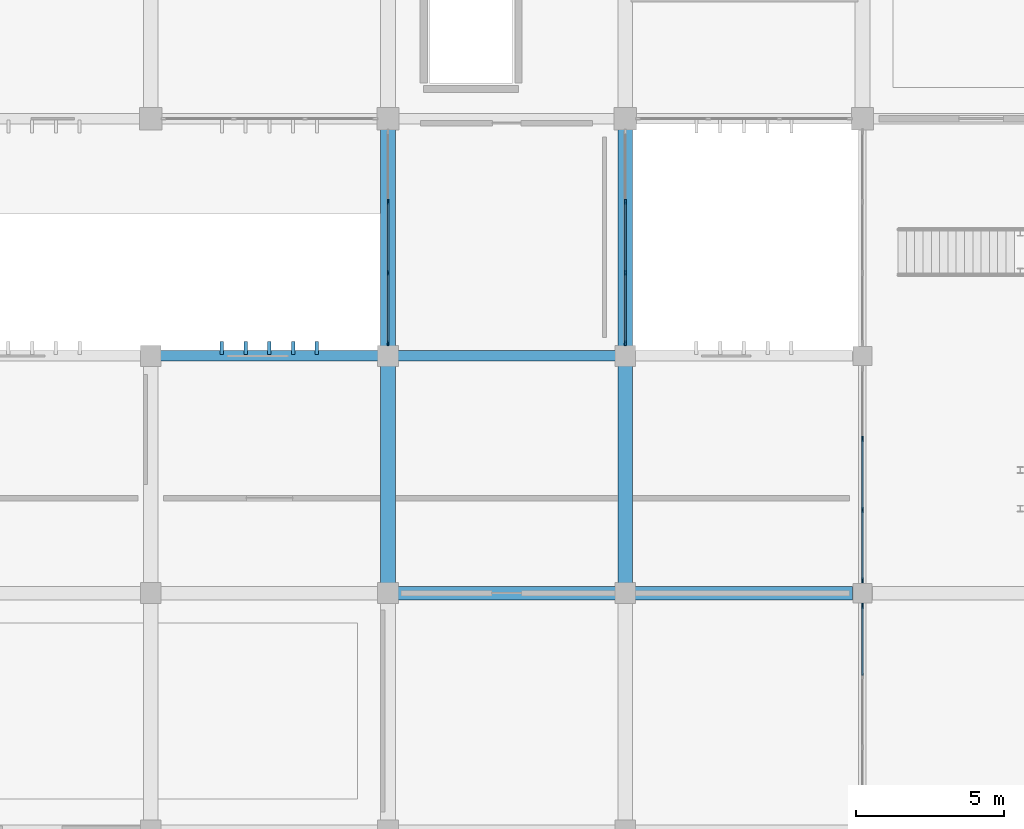
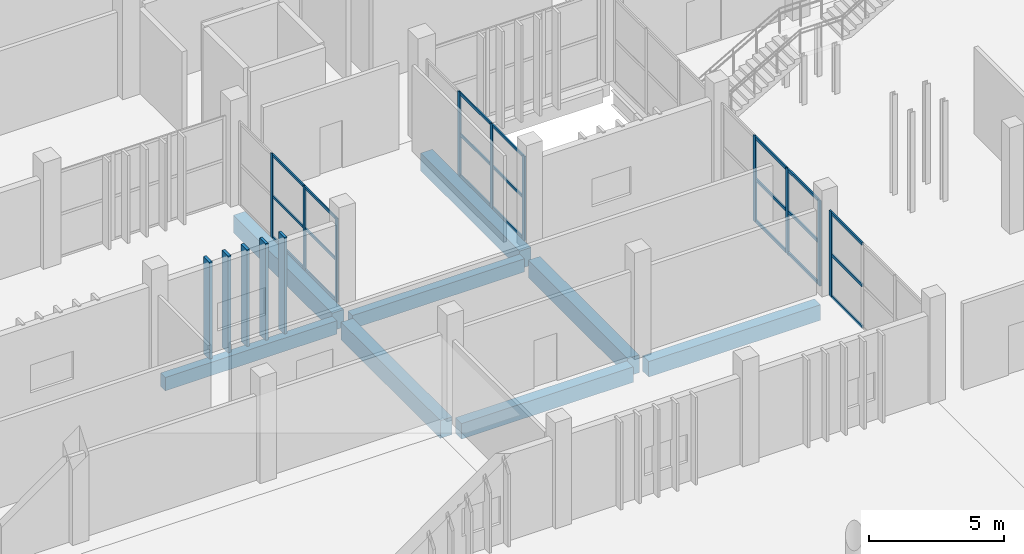
# One storey, part 58 of 117: 36 members, 8 beams, 4 elements without a shape of their own.
"""IFC4 building model written with IfcOpenShell, lengths in metres."""

from ifc_helpers import new_model, si_unit, direction, frame, origin, origin_2d, place, context, subcontext, project, spatial, rectangle, extrude, material, layer, layer_set, material_profile, profile_set, type_object, element, aggregate, save


model = new_model("IFC4")

# Units and contexts
model_context = context("Model", 3, precision=1e-05, world=origin(), true_north=direction((0.0, 1.0)))
body_context = subcontext(model_context, "Body", "Model", "MODEL_VIEW")
ifc_project = project(units=[si_unit("LENGTHUNIT", "METRE"), si_unit("AREAUNIT", "SQUARE_METRE"), si_unit("VOLUMEUNIT", "CUBIC_METRE"), si_unit("PLANEANGLEUNIT", "RADIAN"), si_unit("MASSUNIT", "GRAM", prefix="KILO")], contexts=[model_context])

# Site, building, storey
site_placement = place(None, origin())
site = spatial("IfcSite", under=ifc_project, at=site_placement, CompositionType="ELEMENT")
building_placement = place(site_placement, origin())
building = spatial("IfcBuilding", under=site, at=building_placement, Name="Jelvoka-Kovrelna Polytechnic", CompositionType="ELEMENT")
storey_placement = place(building_placement, origin())
storey = spatial("IfcBuildingStorey", under=building, at=storey_placement, Name="L01", CompositionType="ELEMENT", Elevation=0.0)

# Beams
ifc_material_1 = material(Name="Concrete C40/50", Category="concrete")
ifc_material_profile_1 = material_profile(ifc_material_1, rectangle(XDim=0.449951171875, YDim=0.699951171875, at=origin_2d()), Name="RC 450x700")
ifc_profile_set_1 = profile_set([ifc_material_profile_1], Name="Concrete C40/50")
beam_type_1 = type_object("IfcBeamType", Name="Beam_RC_450x700", PredefinedType="BEAM", material=ifc_profile_set_1)
for number, where, z_axis, x_axis, name in (
    (1, (144.330078125, 16.0, -0.7548828125), (1.0, 0.0, 0.0), (0.0, 1.0, 0.0), "L01 beam 0348"),
    (2, (152.330078125, 16.0, -0.7548828125), (1.0, 0.0, 0.0), (0.0, 1.0, 0.0), "L01 beam 0349"),
):
    element("IfcBeam", number, at=place(storey_placement, frame(where, z_axis=z_axis, x_axis=x_axis)), inside=storey, type_object=beam_type_1, Name=name, PredefinedType="BEAM", context=body_context, shape_type="SweptSolid", body=[
        extrude(rectangle(XDim=0.449951171875, YDim=0.699951171875, at=origin_2d()), origin(), (0.0, 0.0, 1.0), 7.33984375),
    ])
ifc_material_2 = material(Name="Concrete C40/50", Category="concrete")
ifc_material_profile_2 = material_profile(ifc_material_2, rectangle(XDim=0.5, YDim=0.800048828125, at=origin_2d()), Name="RC 500x800")
ifc_profile_set_2 = profile_set([ifc_material_profile_2], Name="Concrete C40/50")
beam_type_2 = type_object("IfcBeamType", Name="Beam_RC_500x800", PredefinedType="BEAM", material=ifc_profile_set_2)
for number, where, z_axis, x_axis, name in (
    (3, (144.0, 16.330078125, -0.804931640625), (0.0, 1.0, 0.0), (-1.0, 0.0, 0.0), "L01 beam 0363"),
    (4, (152.0, 16.330078125, -0.804931640625), (0.0, 1.0, 0.0), (-1.0, 0.0, 0.0), "L01 beam 0365"),
):
    element("IfcBeam", number, at=place(storey_placement, frame(where, z_axis=z_axis, x_axis=x_axis)), inside=storey, type_object=beam_type_2, Name=name, PredefinedType="BEAM", context=body_context, shape_type="SweptSolid", body=[
        extrude(rectangle(XDim=0.5, YDim=0.800048828125, at=origin_2d()), origin(), (0.0, 0.0, 1.0), 7.33984375),
    ])
for number, where, z_axis, x_axis, name in (
    (5, (144.0, 24.330078125, -0.804931640625), (0.0, 1.0, 0.0), (-1.0, 0.0, 0.0), "L01 beam 0540"),
    (6, (152.0, 24.330078125, -0.804931640625), (0.0, 1.0, 0.0), (-1.0, 0.0, 0.0), "L01 beam 0541"),
):
    element("IfcBeam", number, at=place(storey_placement, frame(where, z_axis=z_axis, x_axis=x_axis)), inside=storey, type_object=beam_type_2, Name=name, PredefinedType="BEAM", context=body_context, shape_type="SweptSolid", body=[
        extrude(rectangle(XDim=0.5, YDim=0.800048828125, at=origin_2d()), origin(), (0.0, 0.0, 1.0), 7.31494140625),
    ])

# Members
ifc_material_3 = material(Name="Precast concrete C40/50", Category="concrete")
ifc_material_profile_3 = material_profile(ifc_material_3, rectangle(XDim=0.1201171875, YDim=0.449951171875, at=origin_2d()), Name="PC 120x450")
ifc_profile_set_3 = profile_set([ifc_material_profile_3], Name="Precast concrete C40/50")
member_type_1 = type_object("IfcMemberType", Name="Louvre_Fin_120x450", PredefinedType="USERDEFINED", material=ifc_profile_set_3)
for number, where, z_axis, x_axis, name in (
    (7, (138.39990234375, 24.264892578125, -0.419921875), (0.0, 0.0, 1.0), (1.0, 0.0, 0.0), "L01 B1 north vertical solar louvre fin 0086"),
    (8, (139.199951171875, 24.264892578125, -0.419921875), (0.0, 0.0, 1.0), (1.0, 0.0, 0.0), "L01 B1 north vertical solar louvre fin 0087"),
    (9, (140.0, 24.264892578125, -0.419921875), (0.0, 0.0, 1.0), (1.0, 0.0, 0.0), "L01 B1 north vertical solar louvre fin 0088"),
    (10, (140.800048828125, 24.264892578125, -0.419921875), (0.0, 0.0, 1.0), (1.0, 0.0, 0.0), "L01 B1 north vertical solar louvre fin 0089"),
    (11, (141.60009765625, 24.264892578125, -0.419921875), (0.0, 0.0, 1.0), (1.0, 0.0, 0.0), "L01 B1 north vertical solar louvre fin 0090"),
):
    element("IfcMember", number, at=place(storey_placement, frame(where, z_axis=z_axis, x_axis=x_axis)), inside=storey, type_object=member_type_1, Name=name, ObjectType="SUNSHADE", PredefinedType="USERDEFINED", context=body_context, shape_type="SweptSolid", body=[
        extrude(rectangle(XDim=0.1201171875, YDim=0.449951171875, at=origin_2d()), origin(), (0.0, 0.0, 1.0), 4.3798828125),
    ])

# Curtain wall, members
ifc_material_4 = material(Name="Anodised aluminium 6063-T6", Category="aluminium")
ifc_layer_1 = layer(ifc_material_4, 0.159912109375)
ifc_layer_set_1 = layer_set([ifc_layer_1], Name="Anodised aluminium 6063-T6")
curtain_wall_type_1 = type_object("IfcCurtainWallType", Name="CW_LinkBridge", PredefinedType="NOTDEFINED", material=ifc_layer_set_1)
curtain_wall_1_placement = place(storey_placement, origin())
curtain_wall_1 = element("IfcCurtainWall", 12, at=curtain_wall_1_placement, inside=storey, type_object=curtain_wall_type_1, Name="L01 glazed curtain wall 106", PredefinedType="NOTDEFINED")
ifc_material_5 = material(Name="Anodised aluminium 6063-T6", Category="aluminium")
ifc_material_profile_4 = material_profile(ifc_material_5, rectangle(XDim=0.06005859375, YDim=0.159912109375, at=origin_2d()), Name="ALU 60x160")
ifc_profile_set_4 = profile_set([ifc_material_profile_4], Name="Anodised aluminium 6063-T6")
member_type_2 = type_object("IfcMemberType", Name="Mullion_M-04", PredefinedType="MULLION", material=ifc_profile_set_4)
member_1_placement = place(storey_placement, frame((144.0, 24.429931640625, -0.02490234375), z_axis=(0.0, 0.0, 1.0), x_axis=(-1.0, 0.0, 0.0)))
member_1 = element("IfcMember", 13, at=member_1_placement, type_object=member_type_2, Name="CW-04 mullion 1", PredefinedType="MULLION", context=body_context, shape_type="SweptSolid", body=[
    extrude(rectangle(XDim=0.06005859375, YDim=0.159912109375, at=origin_2d()), origin(), (0.0, 0.0, 1.0), 3.81005859375),
])
member_2_placement = place(storey_placement, frame((144.0, 26.800048828125, -0.02490234375), z_axis=(0.0, 0.0, 1.0), x_axis=(-1.0, 0.0, 0.0)))
member_2 = element("IfcMember", 14, at=member_2_placement, type_object=member_type_2, Name="CW-04 mullion 2", PredefinedType="MULLION", context=body_context, shape_type="SweptSolid", body=[
    extrude(rectangle(XDim=0.06005859375, YDim=0.159912109375, at=origin_2d()), origin(), (0.0, 0.0, 1.0), 3.81005859375),
])
member_3_placement = place(storey_placement, frame((144.0, 29.199951171875, -0.02490234375), z_axis=(0.0, 0.0, 1.0), x_axis=(-1.0, 0.0, 0.0)))
member_3 = element("IfcMember", 15, at=member_3_placement, type_object=member_type_2, Name="CW-04 mullion 3", PredefinedType="MULLION", context=body_context, shape_type="SweptSolid", body=[
    extrude(rectangle(XDim=0.06005859375, YDim=0.159912109375, at=origin_2d()), origin(), (0.0, 0.0, 1.0), 3.81005859375),
])

curtain_wall_2_placement = place(storey_placement, origin())
curtain_wall_2 = element("IfcCurtainWall", 16, at=curtain_wall_2_placement, inside=storey, type_object=curtain_wall_type_1, Name="L01 glazed curtain wall 107", PredefinedType="NOTDEFINED")
member_4_placement = place(storey_placement, frame((152.0, 29.199951171875, -0.02490234375), z_axis=(0.0, 0.0, 1.0), x_axis=(1.0, 0.0, 0.0)))
member_4 = element("IfcMember", 17, at=member_4_placement, type_object=member_type_2, Name="CW-04 mullion 2", PredefinedType="MULLION", context=body_context, shape_type="SweptSolid", body=[
    extrude(rectangle(XDim=0.06005859375, YDim=0.159912109375, at=origin_2d()), origin(), (0.0, 0.0, 1.0), 3.81005859375),
])
member_5_placement = place(storey_placement, frame((152.0, 26.800048828125, -0.02490234375), z_axis=(0.0, 0.0, 1.0), x_axis=(1.0, 0.0, 0.0)))
member_5 = element("IfcMember", 18, at=member_5_placement, type_object=member_type_2, Name="CW-04 mullion 3", PredefinedType="MULLION", context=body_context, shape_type="SweptSolid", body=[
    extrude(rectangle(XDim=0.06005859375, YDim=0.159912109375, at=origin_2d()), origin(), (0.0, 0.0, 1.0), 3.81005859375),
])
member_6_placement = place(storey_placement, frame((152.0, 24.429931640625, -0.02490234375), z_axis=(0.0, 0.0, 1.0), x_axis=(1.0, 0.0, 0.0)))
member_6 = element("IfcMember", 19, at=member_6_placement, type_object=member_type_2, Name="CW-04 mullion 4", PredefinedType="MULLION", context=body_context, shape_type="SweptSolid", body=[
    extrude(rectangle(XDim=0.06005859375, YDim=0.159912109375, at=origin_2d()), origin(), (0.0, 0.0, 1.0), 3.81005859375),
])

# Curtain wall, member
ifc_material_6 = material(Name="Anodised aluminium 6063-T6", Category="aluminium")
ifc_layer_2 = layer(ifc_material_6, 0.179931640625)
ifc_layer_set_2 = layer_set([ifc_layer_2], Name="Anodised aluminium 6063-T6")
curtain_wall_type_2 = type_object("IfcCurtainWallType", Name="CW_Pavilion", PredefinedType="NOTDEFINED", material=ifc_layer_set_2)
curtain_wall_3_placement = place(storey_placement, origin())
curtain_wall_3 = element("IfcCurtainWall", 20, at=curtain_wall_3_placement, inside=storey, type_object=curtain_wall_type_2, Name="L01 glazed curtain wall 272", PredefinedType="NOTDEFINED")
ifc_material_7 = material(Name="Anodised aluminium 6063-T6", Category="aluminium")
ifc_material_profile_5 = material_profile(ifc_material_7, rectangle(XDim=0.06494140625, YDim=0.179931640625, at=origin_2d()), Name="ALU 65x180")
ifc_profile_set_5 = profile_set([ifc_material_profile_5], Name="Anodised aluminium 6063-T6")
member_type_3 = type_object("IfcMemberType", Name="Mullion_M-05", PredefinedType="MULLION", material=ifc_profile_set_5)
member_7_placement = place(storey_placement, frame((160.0, 15.5673828125, -0.02490234375), z_axis=(0.0, 0.0, 1.0), x_axis=(-1.0, 0.0, 0.0)))
member_7 = element("IfcMember", 21, at=member_7_placement, type_object=member_type_3, Name="CW-05 mullion 4", PredefinedType="MULLION", context=body_context, shape_type="SweptSolid", body=[
    extrude(rectangle(XDim=0.06494140625, YDim=0.179931640625, at=origin_2d()), origin(), (0.0, 0.0, 1.0), 3.862060546875),
])

# Curtain wall, members
curtain_wall_4_placement = place(storey_placement, origin())
curtain_wall_4 = element("IfcCurtainWall", 22, at=curtain_wall_4_placement, inside=storey, type_object=curtain_wall_type_2, Name="L01 glazed curtain wall 273", PredefinedType="NOTDEFINED")
member_8_placement = place(storey_placement, frame((160.0, 16.4326171875, -0.02490234375), z_axis=(0.0, 0.0, 1.0), x_axis=(-1.0, 0.0, 0.0)))
member_8 = element("IfcMember", 23, at=member_8_placement, type_object=member_type_3, Name="CW-05 mullion 1", PredefinedType="MULLION", context=body_context, shape_type="SweptSolid", body=[
    extrude(rectangle(XDim=0.06494140625, YDim=0.179931640625, at=origin_2d()), origin(), (0.0, 0.0, 1.0), 3.862060546875),
])
member_9_placement = place(storey_placement, frame((160.0, 18.800048828125, -0.02490234375), z_axis=(0.0, 0.0, 1.0), x_axis=(-1.0, 0.0, 0.0)))
member_9 = element("IfcMember", 24, at=member_9_placement, type_object=member_type_3, Name="CW-05 mullion 2", PredefinedType="MULLION", context=body_context, shape_type="SweptSolid", body=[
    extrude(rectangle(XDim=0.06494140625, YDim=0.179931640625, at=origin_2d()), origin(), (0.0, 0.0, 1.0), 3.862060546875),
])
member_10_placement = place(storey_placement, frame((160.0, 21.199951171875, -0.02490234375), z_axis=(0.0, 0.0, 1.0), x_axis=(-1.0, 0.0, 0.0)))
member_10 = element("IfcMember", 25, at=member_10_placement, type_object=member_type_3, Name="CW-05 mullion 3", PredefinedType="MULLION", context=body_context, shape_type="SweptSolid", body=[
    extrude(rectangle(XDim=0.06494140625, YDim=0.179931640625, at=origin_2d()), origin(), (0.0, 0.0, 1.0), 3.862060546875),
])

# Beams
ifc_material_8 = material(Name="Concrete C40/50", Category="concrete")
ifc_material_profile_6 = material_profile(ifc_material_8, rectangle(XDim=0.35009765625, YDim=0.60009765625, at=origin_2d()), Name="RC 350x600")
ifc_profile_set_6 = profile_set([ifc_material_profile_6], Name="Concrete C40/50")
beam_type_3 = type_object("IfcBeamType", Name="Spandrel_RC_350x600", PredefinedType="SPANDREL", material=ifc_profile_set_6)
for number, where, z_axis, x_axis, name in (
    (26, (136.330078125, 24.0, -0.705078125), (1.0, 0.0, 0.0), (0.0, 1.0, 0.0), "L01 beam 0353"),
    (27, (144.330078125, 24.0, -0.705078125), (1.0, 0.0, 0.0), (0.0, 1.0, 0.0), "L01 beam 0354"),
):
    element("IfcBeam", number, at=place(storey_placement, frame(where, z_axis=z_axis, x_axis=x_axis)), inside=storey, type_object=beam_type_3, Name=name, PredefinedType="SPANDREL", context=body_context, shape_type="SweptSolid", body=[
        extrude(rectangle(XDim=0.35009765625, YDim=0.60009765625, at=origin_2d()), origin(), (0.0, 0.0, 1.0), 7.33984375),
    ])

# Member
ifc_material_9 = material(Name="Anodised aluminium 6063-T6", Category="aluminium")
ifc_material_profile_7 = material_profile(ifc_material_9, rectangle(XDim=0.06005859375, YDim=0.1201171875, at=origin_2d()), Name="ALU 60x120")
ifc_profile_set_7 = profile_set([ifc_material_profile_7], Name="Anodised aluminium 6063-T6")
member_type_4 = type_object("IfcMemberType", Name="Transom_T-04", PredefinedType="USERDEFINED", material=ifc_profile_set_7)
member_11_placement = place(storey_placement, frame((144.0, 24.4599609375, 0.030029296875), z_axis=(0.0, 1.0, 0.0), x_axis=(-1.0, 0.0, 0.0)))
member_11 = element("IfcMember", 28, at=member_11_placement, type_object=member_type_4, Name="CW-04 transom 1.1", ObjectType="TRANSOM", PredefinedType="USERDEFINED", context=body_context, shape_type="SweptSolid", body=[
    extrude(rectangle(XDim=0.06005859375, YDim=0.1201171875, at=origin_2d()), origin(), (0.0, 0.0, 1.0), 2.31005859375),
])

member_12_placement = place(storey_placement, frame((144.0, 24.4599609375, 1.8798828125), z_axis=(0.0, 1.0, 0.0), x_axis=(-1.0, 0.0, 0.0)))
member_12 = element("IfcMember", 29, at=member_12_placement, type_object=member_type_4, Name="CW-04 transom 1.2", ObjectType="TRANSOM", PredefinedType="USERDEFINED", context=body_context, shape_type="SweptSolid", body=[
    extrude(rectangle(XDim=0.06005859375, YDim=0.1201171875, at=origin_2d()), origin(), (0.0, 0.0, 1.0), 2.31005859375),
])

member_13_placement = place(storey_placement, frame((144.0, 24.4599609375, 3.72998046875), z_axis=(0.0, 1.0, 0.0), x_axis=(-1.0, 0.0, 0.0)))
member_13 = element("IfcMember", 30, at=member_13_placement, type_object=member_type_4, Name="CW-04 transom 1.3", ObjectType="TRANSOM", PredefinedType="USERDEFINED", context=body_context, shape_type="SweptSolid", body=[
    extrude(rectangle(XDim=0.06005859375, YDim=0.1201171875, at=origin_2d()), origin(), (0.0, 0.0, 1.0), 2.31005859375),
])

member_14_placement = place(storey_placement, frame((144.0, 26.830078125, 0.030029296875), z_axis=(0.0, 1.0, 0.0), x_axis=(-1.0, 0.0, 0.0)))
member_14 = element("IfcMember", 31, at=member_14_placement, type_object=member_type_4, Name="CW-04 transom 2.1", ObjectType="TRANSOM", PredefinedType="USERDEFINED", context=body_context, shape_type="SweptSolid", body=[
    extrude(rectangle(XDim=0.06005859375, YDim=0.1201171875, at=origin_2d()), origin(), (0.0, 0.0, 1.0), 2.33984375),
])

member_15_placement = place(storey_placement, frame((144.0, 26.830078125, 1.8798828125), z_axis=(0.0, 1.0, 0.0), x_axis=(-1.0, 0.0, 0.0)))
member_15 = element("IfcMember", 32, at=member_15_placement, type_object=member_type_4, Name="CW-04 transom 2.2", ObjectType="TRANSOM", PredefinedType="USERDEFINED", context=body_context, shape_type="SweptSolid", body=[
    extrude(rectangle(XDim=0.06005859375, YDim=0.1201171875, at=origin_2d()), origin(), (0.0, 0.0, 1.0), 2.33984375),
])

member_16_placement = place(storey_placement, frame((144.0, 26.830078125, 3.72998046875), z_axis=(0.0, 1.0, 0.0), x_axis=(-1.0, 0.0, 0.0)))
member_16 = element("IfcMember", 33, at=member_16_placement, type_object=member_type_4, Name="CW-04 transom 2.3", ObjectType="TRANSOM", PredefinedType="USERDEFINED", context=body_context, shape_type="SweptSolid", body=[
    extrude(rectangle(XDim=0.06005859375, YDim=0.1201171875, at=origin_2d()), origin(), (0.0, 0.0, 1.0), 2.33984375),
])

aggregate(curtain_wall_1, [member_1, member_2, member_3, member_11, member_12, member_13, member_14, member_15, member_16])

member_17_placement = place(storey_placement, frame((152.0, 29.169921875, 0.030029296875), z_axis=(0.0, -1.0, 0.0), x_axis=(1.0, 0.0, 0.0)))
member_17 = element("IfcMember", 34, at=member_17_placement, type_object=member_type_4, Name="CW-04 transom 2.1", ObjectType="TRANSOM", PredefinedType="USERDEFINED", context=body_context, shape_type="SweptSolid", body=[
    extrude(rectangle(XDim=0.06005859375, YDim=0.1201171875, at=origin_2d()), origin(), (0.0, 0.0, 1.0), 2.33984375),
])

member_18_placement = place(storey_placement, frame((152.0, 29.169921875, 1.8798828125), z_axis=(0.0, -1.0, 0.0), x_axis=(1.0, 0.0, 0.0)))
member_18 = element("IfcMember", 35, at=member_18_placement, type_object=member_type_4, Name="CW-04 transom 2.2", ObjectType="TRANSOM", PredefinedType="USERDEFINED", context=body_context, shape_type="SweptSolid", body=[
    extrude(rectangle(XDim=0.06005859375, YDim=0.1201171875, at=origin_2d()), origin(), (0.0, 0.0, 1.0), 2.33984375),
])

member_19_placement = place(storey_placement, frame((152.0, 29.169921875, 3.72998046875), z_axis=(0.0, -1.0, 0.0), x_axis=(1.0, 0.0, 0.0)))
member_19 = element("IfcMember", 36, at=member_19_placement, type_object=member_type_4, Name="CW-04 transom 2.3", ObjectType="TRANSOM", PredefinedType="USERDEFINED", context=body_context, shape_type="SweptSolid", body=[
    extrude(rectangle(XDim=0.06005859375, YDim=0.1201171875, at=origin_2d()), origin(), (0.0, 0.0, 1.0), 2.33984375),
])

member_20_placement = place(storey_placement, frame((152.0, 26.77001953125, 0.030029296875), z_axis=(0.0, -1.0, 0.0), x_axis=(1.0, 0.0, 0.0)))
member_20 = element("IfcMember", 37, at=member_20_placement, type_object=member_type_4, Name="CW-04 transom 3.1", ObjectType="TRANSOM", PredefinedType="USERDEFINED", context=body_context, shape_type="SweptSolid", body=[
    extrude(rectangle(XDim=0.06005859375, YDim=0.1201171875, at=origin_2d()), origin(), (0.0, 0.0, 1.0), 2.31005859375),
])

member_21_placement = place(storey_placement, frame((152.0, 26.77001953125, 1.8798828125), z_axis=(0.0, -1.0, 0.0), x_axis=(1.0, 0.0, 0.0)))
member_21 = element("IfcMember", 38, at=member_21_placement, type_object=member_type_4, Name="CW-04 transom 3.2", ObjectType="TRANSOM", PredefinedType="USERDEFINED", context=body_context, shape_type="SweptSolid", body=[
    extrude(rectangle(XDim=0.06005859375, YDim=0.1201171875, at=origin_2d()), origin(), (0.0, 0.0, 1.0), 2.31005859375),
])

member_22_placement = place(storey_placement, frame((152.0, 26.77001953125, 3.72998046875), z_axis=(0.0, -1.0, 0.0), x_axis=(1.0, 0.0, 0.0)))
member_22 = element("IfcMember", 39, at=member_22_placement, type_object=member_type_4, Name="CW-04 transom 3.3", ObjectType="TRANSOM", PredefinedType="USERDEFINED", context=body_context, shape_type="SweptSolid", body=[
    extrude(rectangle(XDim=0.06005859375, YDim=0.1201171875, at=origin_2d()), origin(), (0.0, 0.0, 1.0), 2.31005859375),
])

aggregate(curtain_wall_2, [member_4, member_5, member_6, member_17, member_18, member_19, member_20, member_21, member_22])

ifc_material_10 = material(Name="Anodised aluminium 6063-T6", Category="aluminium")
ifc_material_profile_8 = material_profile(ifc_material_10, rectangle(XDim=0.06494140625, YDim=0.135009765625, at=origin_2d()), Name="ALU 65x135")
ifc_profile_set_8 = profile_set([ifc_material_profile_8], Name="Anodised aluminium 6063-T6")
member_type_5 = type_object("IfcMemberType", Name="Transom_T-05", PredefinedType="USERDEFINED", material=ifc_profile_set_8)
member_23_placement = place(storey_placement, frame((160.0, 13.232421875, 0.032470703125), z_axis=(0.0, 1.0, 0.0), x_axis=(-1.0, 0.0, 0.0)))
member_23 = element("IfcMember", 40, at=member_23_placement, type_object=member_type_5, Name="CW-05 transom 3.1", ObjectType="TRANSOM", PredefinedType="USERDEFINED", context=body_context, shape_type="SweptSolid", body=[
    extrude(rectangle(XDim=0.06494140625, YDim=0.135009765625, at=origin_2d()), origin(), (0.0, 0.0, 1.0), 2.302490234375),
])

member_24_placement = place(storey_placement, frame((160.0, 13.232421875, 1.906005859375), z_axis=(0.0, 1.0, 0.0), x_axis=(-1.0, 0.0, 0.0)))
member_24 = element("IfcMember", 41, at=member_24_placement, type_object=member_type_5, Name="CW-05 transom 3.2", ObjectType="TRANSOM", PredefinedType="USERDEFINED", context=body_context, shape_type="SweptSolid", body=[
    extrude(rectangle(XDim=0.06494140625, YDim=0.135009765625, at=origin_2d()), origin(), (0.0, 0.0, 1.0), 2.302490234375),
])

member_25_placement = place(storey_placement, frame((160.0, 13.232421875, 3.779541015625), z_axis=(0.0, 1.0, 0.0), x_axis=(-1.0, 0.0, 0.0)))
member_25 = element("IfcMember", 42, at=member_25_placement, type_object=member_type_5, Name="CW-05 transom 3.3", ObjectType="TRANSOM", PredefinedType="USERDEFINED", context=body_context, shape_type="SweptSolid", body=[
    extrude(rectangle(XDim=0.06494140625, YDim=0.135009765625, at=origin_2d()), origin(), (0.0, 0.0, 1.0), 2.302490234375),
])

aggregate(curtain_wall_3, [member_7, member_23, member_24, member_25])

member_26_placement = place(storey_placement, frame((160.0, 16.465087890625, 0.032470703125), z_axis=(0.0, 1.0, 0.0), x_axis=(-1.0, 0.0, 0.0)))
member_26 = element("IfcMember", 43, at=member_26_placement, type_object=member_type_5, Name="CW-05 transom 1.1", ObjectType="TRANSOM", PredefinedType="USERDEFINED", context=body_context, shape_type="SweptSolid", body=[
    extrude(rectangle(XDim=0.06494140625, YDim=0.135009765625, at=origin_2d()), origin(), (0.0, 0.0, 1.0), 2.302490234375),
])

member_27_placement = place(storey_placement, frame((160.0, 16.465087890625, 1.906005859375), z_axis=(0.0, 1.0, 0.0), x_axis=(-1.0, 0.0, 0.0)))
member_27 = element("IfcMember", 44, at=member_27_placement, type_object=member_type_5, Name="CW-05 transom 1.2", ObjectType="TRANSOM", PredefinedType="USERDEFINED", context=body_context, shape_type="SweptSolid", body=[
    extrude(rectangle(XDim=0.06494140625, YDim=0.135009765625, at=origin_2d()), origin(), (0.0, 0.0, 1.0), 2.302490234375),
])

member_28_placement = place(storey_placement, frame((160.0, 16.465087890625, 3.779541015625), z_axis=(0.0, 1.0, 0.0), x_axis=(-1.0, 0.0, 0.0)))
member_28 = element("IfcMember", 45, at=member_28_placement, type_object=member_type_5, Name="CW-05 transom 1.3", ObjectType="TRANSOM", PredefinedType="USERDEFINED", context=body_context, shape_type="SweptSolid", body=[
    extrude(rectangle(XDim=0.06494140625, YDim=0.135009765625, at=origin_2d()), origin(), (0.0, 0.0, 1.0), 2.302490234375),
])

member_29_placement = place(storey_placement, frame((160.0, 18.83251953125, 0.032470703125), z_axis=(0.0, 1.0, 0.0), x_axis=(-1.0, 0.0, 0.0)))
member_29 = element("IfcMember", 46, at=member_29_placement, type_object=member_type_5, Name="CW-05 transom 2.1", ObjectType="TRANSOM", PredefinedType="USERDEFINED", context=body_context, shape_type="SweptSolid", body=[
    extrude(rectangle(XDim=0.06494140625, YDim=0.135009765625, at=origin_2d()), origin(), (0.0, 0.0, 1.0), 2.3349609375),
])

member_30_placement = place(storey_placement, frame((160.0, 18.83251953125, 1.906005859375), z_axis=(0.0, 1.0, 0.0), x_axis=(-1.0, 0.0, 0.0)))
member_30 = element("IfcMember", 47, at=member_30_placement, type_object=member_type_5, Name="CW-05 transom 2.2", ObjectType="TRANSOM", PredefinedType="USERDEFINED", context=body_context, shape_type="SweptSolid", body=[
    extrude(rectangle(XDim=0.06494140625, YDim=0.135009765625, at=origin_2d()), origin(), (0.0, 0.0, 1.0), 2.3349609375),
])

member_31_placement = place(storey_placement, frame((160.0, 18.83251953125, 3.779541015625), z_axis=(0.0, 1.0, 0.0), x_axis=(-1.0, 0.0, 0.0)))
member_31 = element("IfcMember", 48, at=member_31_placement, type_object=member_type_5, Name="CW-05 transom 2.3", ObjectType="TRANSOM", PredefinedType="USERDEFINED", context=body_context, shape_type="SweptSolid", body=[
    extrude(rectangle(XDim=0.06494140625, YDim=0.135009765625, at=origin_2d()), origin(), (0.0, 0.0, 1.0), 2.3349609375),
])

aggregate(curtain_wall_4, [member_8, member_9, member_10, member_26, member_27, member_28, member_29, member_30, member_31])

save(model, "model.ifc")
